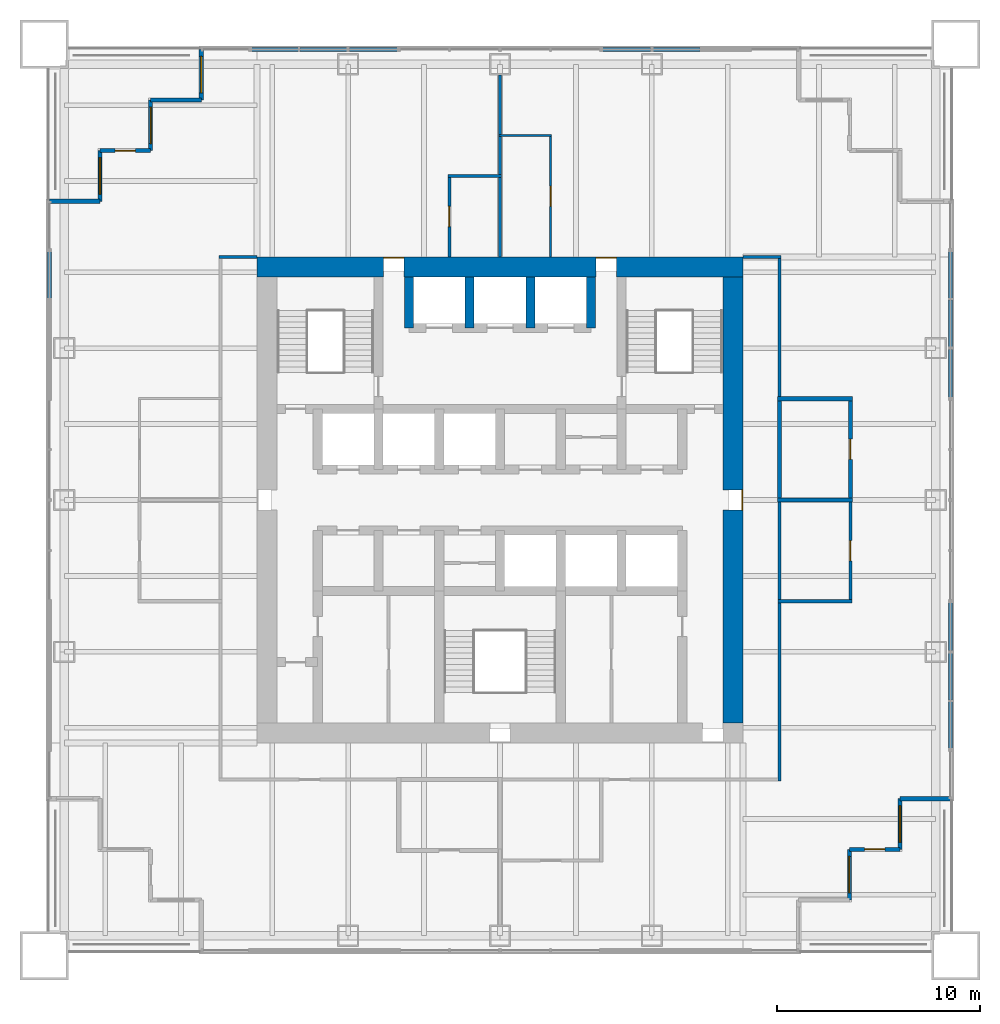
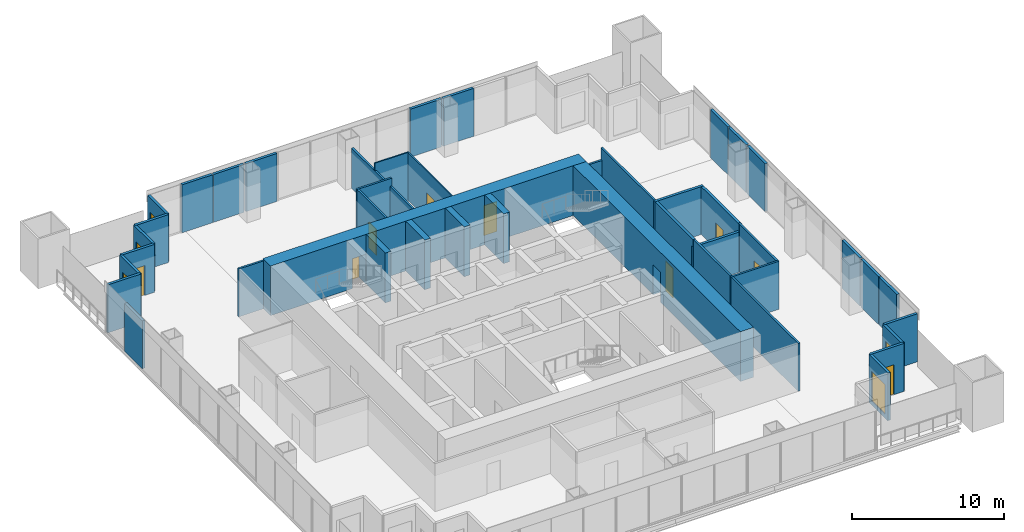
# One storey, part 10 of 13: 43 walls, 9 doors, 5 windows, 14 openings.
"""IFC4 building model written with IfcOpenShell, lengths in metres."""

from ifc_helpers import new_model, si_unit, direction, frame, frame_2d, origin, place, context, subcontext, project, spatial, rectangle, extrude, material, layer, layer_set, type_object, element, fill, save


model = new_model("IFC4")

# Units and contexts
model_context = context("Model", 3, precision=1e-05, world=origin(), true_north=direction((0.0, 1.0)))
body_context = subcontext(model_context, "Body", "Model", "MODEL_VIEW")
ifc_project = project(units=[si_unit("LENGTHUNIT", "METRE"), si_unit("AREAUNIT", "SQUARE_METRE"), si_unit("VOLUMEUNIT", "CUBIC_METRE"), si_unit("PLANEANGLEUNIT", "RADIAN"), si_unit("MASSUNIT", "GRAM", prefix="KILO")], contexts=[model_context])

# Site, building, storey
site_placement = place(None, origin())
site = spatial("IfcSite", under=ifc_project, at=site_placement, CompositionType="ELEMENT")
building_placement = place(site_placement, origin())
building = spatial("IfcBuilding", under=site, at=building_placement, Name="Tarangal Relay Tower", CompositionType="ELEMENT")
storey_placement = place(building_placement, frame((0.0, 0.0, 225.89990234375)))
storey = spatial("IfcBuildingStorey", under=building, at=storey_placement, Name="L48", CompositionType="ELEMENT", Elevation=225.89990234375)

# Walls
ifc_material_1 = material(Name="Two layers gypsum board each side on twin steel studs, mineral wool", Category="steel")
ifc_layer_1 = layer(ifc_material_1, 0.199951171875)
ifc_layer_set_1 = layer_set([ifc_layer_1], Name="Acoustic partition 200")
wall_type_1 = type_object("IfcWallType", Name="Acoustic partition 200", PredefinedType="PARTITIONING", material=ifc_layer_set_1)
wall_1_placement = place(storey_placement, frame((13.699951171875, 0.0, 0.0), z_axis=(0.0, 0.0, 1.0), x_axis=(1.0, 0.0, 0.0)))
element("IfcWall", 1, at=wall_1_placement, inside=storey, type_object=wall_type_1, Name="Partition PT2 L48", PredefinedType="PARTITIONING", context=body_context, shape_type="SweptSolid", body=[
    extrude(rectangle(XDim=3.699951171875, YDim=0.199951171875, at=frame_2d((1.85009765625, 0.0))), origin(), (0.0, 0.0, 1.0), 3.238037109375),
])
wall_2_placement = place(storey_placement, frame((13.699951171875, 5.0, 0.0), z_axis=(0.0, 0.0, 1.0), x_axis=(1.0, 0.0, 0.0)))
element("IfcWall", 2, at=wall_2_placement, inside=storey, type_object=wall_type_1, Name="Partition PT2 L48", PredefinedType="PARTITIONING", context=body_context, shape_type="SweptSolid", body=[
    extrude(rectangle(XDim=3.699951171875, YDim=0.199951171875, at=frame_2d((1.85009765625, 0.0))), origin(), (0.0, 0.0, 1.0), 3.85009765625),
])
wall_3_placement = place(storey_placement, frame((13.800048828125, -0.10009765625, 0.0), z_axis=(0.0, 0.0, 1.0), x_axis=(0.0, 1.0, 0.0)))
element("IfcWall", 3, at=wall_3_placement, inside=storey, type_object=wall_type_1, Name="Partition PT2 L48", PredefinedType="PARTITIONING", context=body_context, shape_type="SweptSolid", body=[
    extrude(rectangle(XDim=5.2001953125, YDim=0.199951171875, at=frame_2d((2.60009765625, 0.0))), origin(), (0.0, 0.0, 1.0), 3.85009765625),
])

# Wall, opening, door
wall_4_placement = place(storey_placement, frame((17.300048828125, -0.10009765625, 0.0), z_axis=(0.0, 0.0, 1.0), x_axis=(0.0, 1.0, 0.0)))
wall_4 = element("IfcWall", 4, at=wall_4_placement, inside=storey, type_object=wall_type_1, Name="Partition PT2 L48", PredefinedType="PARTITIONING", context=body_context, shape_type="SweptSolid", body=[
    extrude(rectangle(XDim=5.2001953125, YDim=0.199951171875, at=frame_2d((2.60009765625, 0.0))), origin(), (0.0, 0.0, 1.0), 3.85009765625),
])
opening_1_placement = place(wall_4_placement, frame((2.10009765625, 0.0, 0.0)))
opening_1 = element("IfcOpeningElement", 5, at=opening_1_placement, cuts=wall_4, Name="Opening D2", PredefinedType="OPENING", context=body_context, shape_type="SweptSolid", body=[
    extrude(rectangle(XDim=1.0, YDim=2.10009765625, at=frame_2d((0.5, 1.050048828125))), frame((0.0, 0.10986328125, 0.0), z_axis=(0.0, -1.0, 0.0), x_axis=(1.0, 0.0, 0.0)), (0.0, 0.0, 1.0), 0.219970703125),
])
ifc_material_2 = material(Name="Hardwood door", Category="wood")
door_type_1 = type_object("IfcDoorType", Name="Door 1000 x 2100", OperationType="SINGLE_SWING_LEFT", PredefinedType="DOOR", material=ifc_material_2)
door_1_placement = place(opening_1_placement, origin())
door_1 = element("IfcDoor", 6, at=door_1_placement, inside=storey, type_object=door_type_1, Name="Door D2 to meeting room L48-04", OperationType="SINGLE_SWING_LEFT", OverallHeight=2.10009765625, OverallWidth=1.0, PredefinedType="DOOR", context=body_context, shape_type="SweptSolid", body=[
    extrude(rectangle(XDim=1.0, YDim=2.10009765625, at=frame_2d((0.5, 1.050048828125))), frame((0.0, 0.02490234375, 0.0), z_axis=(0.0, -1.0, 0.0), x_axis=(1.0, 0.0, 0.0)), (0.0, 0.0, 1.0), 0.050048828125),
])
fill(opening_1, door_1)

# Walls
ifc_material_3 = material(Name="Concrete fc' 60 MPa", Category="concrete")
ifc_layer_2 = layer(ifc_material_3, 0.449951171875)
ifc_layer_set_2 = layer_set([ifc_layer_2], Name="Core inner wall 450")
wall_type_2 = type_object("IfcWallType", Name="Core inner wall 450", PredefinedType="SHEAR", material=ifc_layer_set_2)
for number, where, z_axis, x_axis, name in (
    (7, (-4.5, 8.5, 0.0), (0.0, 0.0, 1.0), (0.0, 1.0, 0.0), "Core wall XM45 L48"),
    (8, (4.5, 8.5, 0.0), (0.0, 0.0, 1.0), (0.0, 1.0, 0.0), "Core wall X45 L48"),
    (9, (-1.5, 8.5, 0.0), (0.0, 0.0, 1.0), (0.0, 1.0, 0.0), "Core wall XM15 L48"),
    (10, (1.5, 8.5, 0.0), (0.0, 0.0, 1.0), (0.0, 1.0, 0.0), "Core wall X15 L48"),
):
    element("IfcWall", number, at=place(storey_placement, frame(where, z_axis=z_axis, x_axis=x_axis)), inside=storey, type_object=wall_type_2, Name=name, PredefinedType="SHEAR", context=body_context, shape_type="SweptSolid", body=[
        extrude(rectangle(XDim=2.5, YDim=0.449951171875, at=frame_2d((1.25, 0.0))), origin(), (0.0, 0.0, 1.0), 4.0),
    ])

# Wall, openings, doors
ifc_layer_3 = layer(ifc_material_3, 1.0)
ifc_layer_set_3 = layer_set([ifc_layer_3], Name="Core wall 1000")
wall_type_3 = type_object("IfcWallType", Name="Core wall 1000", PredefinedType="SHEAR", material=ifc_layer_set_3)
wall_5_placement = place(storey_placement, frame((-12.0, 11.5, 0.0), z_axis=(0.0, 0.0, 1.0), x_axis=(1.0, 0.0, 0.0)))
wall_5 = element("IfcWall", 11, at=wall_5_placement, inside=storey, type_object=wall_type_3, Name="Core wall N L48", PredefinedType="SHEAR", context=body_context, shape_type="SweptSolid", body=[
    extrude(rectangle(XDim=24.0, YDim=1.0, at=frame_2d((12.0, 0.0))), origin(), (0.0, 0.0, 1.0), 4.0),
])
opening_2_placement = place(wall_5_placement, frame((6.25, 0.0, 0.0)))
opening_2 = element("IfcOpeningElement", 12, at=opening_2_placement, cuts=wall_5, Name="Opening FD3", PredefinedType="OPENING", context=body_context, shape_type="SweptSolid", body=[
    extrude(rectangle(XDim=1.0, YDim=2.39990234375, at=frame_2d((0.5, 1.199951171875))), frame((0.0, 0.510009765625, 0.0), z_axis=(0.0, -1.0, 0.0), x_axis=(1.0, 0.0, 0.0)), (0.0, 0.0, 1.0), 1.02001953125),
])
opening_3_placement = place(wall_5_placement, frame((16.75, 0.0, 0.0)))
opening_3 = element("IfcOpeningElement", 13, at=opening_3_placement, cuts=wall_5, Name="Opening FD3", PredefinedType="OPENING", context=body_context, shape_type="SweptSolid", body=[
    extrude(rectangle(XDim=1.0, YDim=2.39990234375, at=frame_2d((0.5, 1.199951171875))), frame((0.0, 0.510009765625, 0.0), z_axis=(0.0, -1.0, 0.0), x_axis=(1.0, 0.0, 0.0)), (0.0, 0.0, 1.0), 1.02001953125),
])
ifc_material_4 = material(Name="Steel door with hardwood frame", Category="steel")
door_type_2 = type_object("IfcDoorType", Name="Fire door 1000 x 2400 core entry", OperationType="SINGLE_SWING_RIGHT", PredefinedType="DOOR", material=ifc_material_4)
door_2_placement = place(opening_2_placement, origin())
door_2 = element("IfcDoor", 14, at=door_2_placement, inside=storey, type_object=door_type_2, Name="Core entry door north west L48", OperationType="SINGLE_SWING_RIGHT", OverallHeight=2.39990234375, OverallWidth=1.0, PredefinedType="DOOR", context=body_context, shape_type="SweptSolid", body=[
    extrude(rectangle(XDim=1.0, YDim=2.39990234375, at=frame_2d((0.5, 1.199951171875))), frame((0.0, 0.48486328125, 0.0), z_axis=(0.0, -1.0, 0.0), x_axis=(1.0, 0.0, 0.0)), (0.0, 0.0, 1.0), 0.050048828125),
])
fill(opening_2, door_2)
door_3_placement = place(opening_3_placement, origin())
door_3 = element("IfcDoor", 15, at=door_3_placement, inside=storey, type_object=door_type_2, Name="Core entry door north east L48", OperationType="SINGLE_SWING_RIGHT", OverallHeight=2.39990234375, OverallWidth=1.0, PredefinedType="DOOR", context=body_context, shape_type="SweptSolid", body=[
    extrude(rectangle(XDim=1.0, YDim=2.39990234375, at=frame_2d((0.5, 1.199951171875))), frame((0.0, 0.48486328125, 0.0), z_axis=(0.0, -1.0, 0.0), x_axis=(1.0, 0.0, 0.0)), (0.0, 0.0, 1.0), 0.050048828125),
])
fill(opening_3, door_3)

# Wall, opening, door
wall_6_placement = place(storey_placement, frame((11.5, 11.0, 0.0), z_axis=(0.0, 0.0, 1.0), x_axis=(0.0, -1.0, 0.0)))
wall_6 = element("IfcWall", 16, at=wall_6_placement, inside=storey, type_object=wall_type_3, Name="Core wall E L48", PredefinedType="SHEAR", context=body_context, shape_type="SweptSolid", body=[
    extrude(rectangle(XDim=22.0, YDim=1.0, at=frame_2d((11.0, 0.0))), origin(), (0.0, 0.0, 1.0), 4.0),
])
opening_4_placement = place(wall_6_placement, frame((10.5, 0.0, 0.0)))
opening_4 = element("IfcOpeningElement", 17, at=opening_4_placement, cuts=wall_6, Name="Opening FD3", PredefinedType="OPENING", context=body_context, shape_type="SweptSolid", body=[
    extrude(rectangle(XDim=1.0, YDim=2.39990234375, at=frame_2d((0.5, 1.199951171875))), frame((0.0, 0.510009765625, 0.0), z_axis=(0.0, -1.0, 0.0), x_axis=(1.0, 0.0, 0.0)), (0.0, 0.0, 1.0), 1.02001953125),
])
door_4_placement = place(opening_4_placement, origin())
door_4 = element("IfcDoor", 18, at=door_4_placement, inside=storey, type_object=door_type_2, Name="Core entry door east L48", OperationType="SINGLE_SWING_RIGHT", OverallHeight=2.39990234375, OverallWidth=1.0, PredefinedType="DOOR", context=body_context, shape_type="SweptSolid", body=[
    extrude(rectangle(XDim=1.0, YDim=2.39990234375, at=frame_2d((0.5, 1.199951171875))), frame((0.0, 0.48486328125, 0.0), z_axis=(0.0, -1.0, 0.0), x_axis=(1.0, 0.0, 0.0)), (0.0, 0.0, 1.0), 0.050048828125),
])
fill(opening_4, door_4)

# Wall
ifc_material_5 = material(Name="Black metal clad insulated wall", Category="steel")
ifc_layer_4 = layer(ifc_material_5, 0.199951171875)
ifc_layer_set_4 = layer_set([ifc_layer_4], Name="Corner wall metal clad 200")
wall_type_4 = type_object("IfcWallType", Name="Corner wall metal clad 200", PredefinedType="SOLIDWALL", material=ifc_layer_set_4)
wall_7_placement = place(storey_placement, frame((22.25, -14.75, 0.0), z_axis=(0.0, 0.0, 1.0), x_axis=(-1.0, 0.0, 0.0)))
element("IfcWall", 19, at=wall_7_placement, inside=storey, type_object=wall_type_4, Name="Facade wall E facade L48", PredefinedType="SOLIDWALL", context=body_context, shape_type="SweptSolid", body=[
    extrude(rectangle(XDim=2.5, YDim=0.199951171875, at=frame_2d((1.25, 0.0))), origin(), (0.0, 0.0, 1.0), 3.85009765625),
])

# Wall, opening, window
wall_8_placement = place(storey_placement, frame((19.75, -14.75, 0.0), z_axis=(0.0, 0.0, 1.0), x_axis=(0.0, -1.0, 0.0)))
wall_8 = element("IfcWall", 20, at=wall_8_placement, inside=storey, type_object=wall_type_4, Name="Facade wall E facade L48", PredefinedType="SOLIDWALL", context=body_context, shape_type="SweptSolid", body=[
    extrude(rectangle(XDim=2.5, YDim=0.199951171875, at=frame_2d((1.25, 0.0))), origin(), (0.0, 0.0, 1.0), 3.85009765625),
])
opening_5_placement = place(wall_8_placement, frame((0.35009765625, 0.0, 0.300048828125)))
opening_5 = element("IfcOpeningElement", 21, at=opening_5_placement, cuts=wall_8, Name="Opening WN2", PredefinedType="OPENING", context=body_context, shape_type="SweptSolid", body=[
    extrude(rectangle(XDim=1.800048828125, YDim=2.39990234375, at=frame_2d((0.89990234375, 1.199951171875))), frame((0.0, 0.10986328125, 0.0), z_axis=(0.0, -1.0, 0.0), x_axis=(1.0, 0.0, 0.0)), (0.0, 0.0, 1.0), 0.219970703125),
])
ifc_material_6 = material(Name="Dark tinted double glazing in black aluminium frame", Category="aluminium")
window_type = type_object("IfcWindowType", Name="Corner window 1800 x 2400", PartitioningType="SINGLE_PANEL", PredefinedType="WINDOW", material=ifc_material_6)
window_1_placement = place(opening_5_placement, origin())
window_1 = element("IfcWindow", 22, at=window_1_placement, inside=storey, type_object=window_type, Name="Corner window WN2 E facade L48", OverallHeight=2.39990234375, OverallWidth=1.800048828125, PartitioningType="SINGLE_PANEL", PredefinedType="WINDOW", context=body_context, shape_type="SweptSolid", body=[
    extrude(rectangle(XDim=1.800048828125, YDim=2.39990234375, at=frame_2d((0.89990234375, 1.199951171875))), frame((0.0, 0.030029296875, 0.0), z_axis=(0.0, -1.0, 0.0), x_axis=(1.0, 0.0, 0.0)), (0.0, 0.0, 1.0), 0.06005859375),
])
fill(opening_5, window_1)

# Wall, opening, door
wall_9_placement = place(storey_placement, frame((19.75, -17.25, 0.0), z_axis=(0.0, 0.0, 1.0), x_axis=(-1.0, 0.0, 0.0)))
wall_9 = element("IfcWall", 23, at=wall_9_placement, inside=storey, type_object=wall_type_4, Name="Facade wall E facade L48", PredefinedType="SOLIDWALL", context=body_context, shape_type="SweptSolid", body=[
    extrude(rectangle(XDim=2.5, YDim=0.199951171875, at=frame_2d((1.25, 0.0))), origin(), (0.0, 0.0, 1.0), 3.85009765625),
])
opening_6_placement = place(wall_9_placement, frame((0.75, 0.0, 0.0)))
opening_6 = element("IfcOpeningElement", 24, at=opening_6_placement, cuts=wall_9, Name="Opening TD1", PredefinedType="OPENING", context=body_context, shape_type="SweptSolid", body=[
    extrude(rectangle(XDim=1.0, YDim=2.39990234375, at=frame_2d((0.5, 1.199951171875))), frame((0.0, 0.10986328125, 0.0), z_axis=(0.0, -1.0, 0.0), x_axis=(1.0, 0.0, 0.0)), (0.0, 0.0, 1.0), 0.219970703125),
])
ifc_material_7 = material(Name="Aluminium glazed door", Category="aluminium")
door_type_3 = type_object("IfcDoorType", Name="Terrace door 1000 x 2400", OperationType="SINGLE_SWING_RIGHT", PredefinedType="DOOR", material=ifc_material_7)
door_5_placement = place(opening_6_placement, origin())
door_5 = element("IfcDoor", 25, at=door_5_placement, inside=storey, type_object=door_type_3, Name="Terrace door TD1 SE L48", OperationType="SINGLE_SWING_RIGHT", OverallHeight=2.39990234375, OverallWidth=1.0, PredefinedType="DOOR", context=body_context, shape_type="SweptSolid", body=[
    extrude(rectangle(XDim=1.0, YDim=2.39990234375, at=frame_2d((0.5, 1.199951171875))), frame((0.0, 0.02490234375, 0.0), z_axis=(0.0, -1.0, 0.0), x_axis=(1.0, 0.0, 0.0)), (0.0, 0.0, 1.0), 0.050048828125),
])
fill(opening_6, door_5)

# Wall, opening, window
wall_10_placement = place(storey_placement, frame((17.25, -17.25, 0.0), z_axis=(0.0, 0.0, 1.0), x_axis=(0.0, -1.0, 0.0)))
wall_10 = element("IfcWall", 26, at=wall_10_placement, inside=storey, type_object=wall_type_4, Name="Facade wall E facade L48", PredefinedType="SOLIDWALL", context=body_context, shape_type="SweptSolid", body=[
    extrude(rectangle(XDim=2.5, YDim=0.199951171875, at=frame_2d((1.25, 0.0))), origin(), (0.0, 0.0, 1.0), 3.85009765625),
])
opening_7_placement = place(wall_10_placement, frame((0.35009765625, 0.0, 0.300048828125)))
opening_7 = element("IfcOpeningElement", 27, at=opening_7_placement, cuts=wall_10, Name="Opening WN2", PredefinedType="OPENING", context=body_context, shape_type="SweptSolid", body=[
    extrude(rectangle(XDim=1.800048828125, YDim=2.39990234375, at=frame_2d((0.89990234375, 1.199951171875))), frame((0.0, 0.10986328125, 0.0), z_axis=(0.0, -1.0, 0.0), x_axis=(1.0, 0.0, 0.0)), (0.0, 0.0, 1.0), 0.219970703125),
])
window_2_placement = place(opening_7_placement, origin())
window_2 = element("IfcWindow", 28, at=window_2_placement, inside=storey, type_object=window_type, Name="Corner window WN2 E facade L48", OverallHeight=2.39990234375, OverallWidth=1.800048828125, PartitioningType="SINGLE_PANEL", PredefinedType="WINDOW", context=body_context, shape_type="SweptSolid", body=[
    extrude(rectangle(XDim=1.800048828125, YDim=2.39990234375, at=frame_2d((0.89990234375, 1.199951171875))), frame((0.0, 0.030029296875, 0.0), z_axis=(0.0, -1.0, 0.0), x_axis=(1.0, 0.0, 0.0)), (0.0, 0.0, 1.0), 0.06005859375),
])
fill(opening_7, window_2)

# Wall
wall_11_placement = place(storey_placement, frame((-22.25, 14.75, 0.0), z_axis=(0.0, 0.0, 1.0), x_axis=(1.0, 0.0, 0.0)))
element("IfcWall", 29, at=wall_11_placement, inside=storey, type_object=wall_type_4, Name="Facade wall W facade L48", PredefinedType="SOLIDWALL", context=body_context, shape_type="SweptSolid", body=[
    extrude(rectangle(XDim=2.5, YDim=0.199951171875, at=frame_2d((1.25, 0.0))), origin(), (0.0, 0.0, 1.0), 3.85009765625),
])

# Wall, opening, window
wall_12_placement = place(storey_placement, frame((-19.75, 14.75, 0.0), z_axis=(0.0, 0.0, 1.0), x_axis=(0.0, 1.0, 0.0)))
wall_12 = element("IfcWall", 30, at=wall_12_placement, inside=storey, type_object=wall_type_4, Name="Facade wall W facade L48", PredefinedType="SOLIDWALL", context=body_context, shape_type="SweptSolid", body=[
    extrude(rectangle(XDim=2.5, YDim=0.199951171875, at=frame_2d((1.25, 0.0))), origin(), (0.0, 0.0, 1.0), 3.85009765625),
])
opening_8_placement = place(wall_12_placement, frame((0.35009765625, 0.0, 0.300048828125)))
opening_8 = element("IfcOpeningElement", 31, at=opening_8_placement, cuts=wall_12, Name="Opening WN2", PredefinedType="OPENING", context=body_context, shape_type="SweptSolid", body=[
    extrude(rectangle(XDim=1.800048828125, YDim=2.39990234375, at=frame_2d((0.89990234375, 1.199951171875))), frame((0.0, 0.10986328125, 0.0), z_axis=(0.0, -1.0, 0.0), x_axis=(1.0, 0.0, 0.0)), (0.0, 0.0, 1.0), 0.219970703125),
])
window_3_placement = place(opening_8_placement, origin())
window_3 = element("IfcWindow", 32, at=window_3_placement, inside=storey, type_object=window_type, Name="Corner window WN2 W facade L48", OverallHeight=2.39990234375, OverallWidth=1.800048828125, PartitioningType="SINGLE_PANEL", PredefinedType="WINDOW", context=body_context, shape_type="SweptSolid", body=[
    extrude(rectangle(XDim=1.800048828125, YDim=2.39990234375, at=frame_2d((0.89990234375, 1.199951171875))), frame((0.0, 0.030029296875, 0.0), z_axis=(0.0, -1.0, 0.0), x_axis=(1.0, 0.0, 0.0)), (0.0, 0.0, 1.0), 0.06005859375),
])
fill(opening_8, window_3)

# Wall, opening, door
wall_13_placement = place(storey_placement, frame((-19.75, 17.25, 0.0), z_axis=(0.0, 0.0, 1.0), x_axis=(1.0, 0.0, 0.0)))
wall_13 = element("IfcWall", 33, at=wall_13_placement, inside=storey, type_object=wall_type_4, Name="Facade wall W facade L48", PredefinedType="SOLIDWALL", context=body_context, shape_type="SweptSolid", body=[
    extrude(rectangle(XDim=2.5, YDim=0.199951171875, at=frame_2d((1.25, 0.0))), origin(), (0.0, 0.0, 1.0), 3.85009765625),
])
opening_9_placement = place(wall_13_placement, frame((0.75, 0.0, 0.0)))
opening_9 = element("IfcOpeningElement", 34, at=opening_9_placement, cuts=wall_13, Name="Opening TD1", PredefinedType="OPENING", context=body_context, shape_type="SweptSolid", body=[
    extrude(rectangle(XDim=1.0, YDim=2.39990234375, at=frame_2d((0.5, 1.199951171875))), frame((0.0, 0.10986328125, 0.0), z_axis=(0.0, -1.0, 0.0), x_axis=(1.0, 0.0, 0.0)), (0.0, 0.0, 1.0), 0.219970703125),
])
door_6_placement = place(opening_9_placement, origin())
door_6 = element("IfcDoor", 35, at=door_6_placement, inside=storey, type_object=door_type_3, Name="Terrace door TD1 NW L48", OperationType="SINGLE_SWING_RIGHT", OverallHeight=2.39990234375, OverallWidth=1.0, PredefinedType="DOOR", context=body_context, shape_type="SweptSolid", body=[
    extrude(rectangle(XDim=1.0, YDim=2.39990234375, at=frame_2d((0.5, 1.199951171875))), frame((0.0, 0.02490234375, 0.0), z_axis=(0.0, -1.0, 0.0), x_axis=(1.0, 0.0, 0.0)), (0.0, 0.0, 1.0), 0.050048828125),
])
fill(opening_9, door_6)

# Wall, opening, window
wall_14_placement = place(storey_placement, frame((-17.25, 17.25, 0.0), z_axis=(0.0, 0.0, 1.0), x_axis=(0.0, 1.0, 0.0)))
wall_14 = element("IfcWall", 36, at=wall_14_placement, inside=storey, type_object=wall_type_4, Name="Facade wall W facade L48", PredefinedType="SOLIDWALL", context=body_context, shape_type="SweptSolid", body=[
    extrude(rectangle(XDim=2.5, YDim=0.199951171875, at=frame_2d((1.25, 0.0))), origin(), (0.0, 0.0, 1.0), 3.85009765625),
])
opening_10_placement = place(wall_14_placement, frame((0.35009765625, 0.0, 0.300048828125)))
opening_10 = element("IfcOpeningElement", 37, at=opening_10_placement, cuts=wall_14, Name="Opening WN2", PredefinedType="OPENING", context=body_context, shape_type="SweptSolid", body=[
    extrude(rectangle(XDim=1.800048828125, YDim=2.39990234375, at=frame_2d((0.89990234375, 1.199951171875))), frame((0.0, 0.10986328125, 0.0), z_axis=(0.0, -1.0, 0.0), x_axis=(1.0, 0.0, 0.0)), (0.0, 0.0, 1.0), 0.219970703125),
])
window_4_placement = place(opening_10_placement, origin())
window_4 = element("IfcWindow", 38, at=window_4_placement, inside=storey, type_object=window_type, Name="Corner window WN2 W facade L48", OverallHeight=2.39990234375, OverallWidth=1.800048828125, PartitioningType="SINGLE_PANEL", PredefinedType="WINDOW", context=body_context, shape_type="SweptSolid", body=[
    extrude(rectangle(XDim=1.800048828125, YDim=2.39990234375, at=frame_2d((0.89990234375, 1.199951171875))), frame((0.0, 0.030029296875, 0.0), z_axis=(0.0, -1.0, 0.0), x_axis=(1.0, 0.0, 0.0)), (0.0, 0.0, 1.0), 0.06005859375),
])
fill(opening_10, window_4)

# Wall
wall_15_placement = place(storey_placement, frame((-17.25, 19.75, 0.0), z_axis=(0.0, 0.0, 1.0), x_axis=(1.0, 0.0, 0.0)))
element("IfcWall", 39, at=wall_15_placement, inside=storey, type_object=wall_type_4, Name="Facade wall W facade L48", PredefinedType="SOLIDWALL", context=body_context, shape_type="SweptSolid", body=[
    extrude(rectangle(XDim=2.5, YDim=0.199951171875, at=frame_2d((1.25, 0.0))), origin(), (0.0, 0.0, 1.0), 3.85009765625),
])

# Wall, opening, window
wall_16_placement = place(storey_placement, frame((-14.75, 19.75, 0.0), z_axis=(0.0, 0.0, 1.0), x_axis=(0.0, 1.0, 0.0)))
wall_16 = element("IfcWall", 40, at=wall_16_placement, inside=storey, type_object=wall_type_4, Name="Facade wall W facade L48", PredefinedType="SOLIDWALL", context=body_context, shape_type="SweptSolid", body=[
    extrude(rectangle(XDim=2.5, YDim=0.199951171875, at=frame_2d((1.25, 0.0))), origin(), (0.0, 0.0, 1.0), 3.85009765625),
])
opening_11_placement = place(wall_16_placement, frame((0.35009765625, 0.0, 0.300048828125)))
opening_11 = element("IfcOpeningElement", 41, at=opening_11_placement, cuts=wall_16, Name="Opening WN2", PredefinedType="OPENING", context=body_context, shape_type="SweptSolid", body=[
    extrude(rectangle(XDim=1.800048828125, YDim=2.39990234375, at=frame_2d((0.89990234375, 1.199951171875))), frame((0.0, 0.10986328125, 0.0), z_axis=(0.0, -1.0, 0.0), x_axis=(1.0, 0.0, 0.0)), (0.0, 0.0, 1.0), 0.219970703125),
])
window_5_placement = place(opening_11_placement, origin())
window_5 = element("IfcWindow", 42, at=window_5_placement, inside=storey, type_object=window_type, Name="Corner window WN2 W facade L48", OverallHeight=2.39990234375, OverallWidth=1.800048828125, PartitioningType="SINGLE_PANEL", PredefinedType="WINDOW", context=body_context, shape_type="SweptSolid", body=[
    extrude(rectangle(XDim=1.800048828125, YDim=2.39990234375, at=frame_2d((0.89990234375, 1.199951171875))), frame((0.0, 0.030029296875, 0.0), z_axis=(0.0, -1.0, 0.0), x_axis=(1.0, 0.0, 0.0)), (0.0, 0.0, 1.0), 0.06005859375),
])
fill(opening_11, window_5)

# Walls
ifc_layer_5 = layer(ifc_material_5, 0.199951171875)
ifc_layer_set_5 = layer_set([ifc_layer_5], Name="Facade infill wall metal clad 200")
wall_type_5 = type_object("IfcWallType", Name="Facade infill wall metal clad 200", PredefinedType="SOLIDWALL", material=ifc_layer_set_5)
for number, where, z_axis, x_axis, name in (
    (43, (-12.268310546875, 22.25, 0.0), (0.0, 0.0, 1.0), (1.0, 0.0, 0.0), "Facade infill wall N facade L48 1.1"),
    (44, (-9.884033203125, 22.25, 0.0), (0.0, 0.0, 1.0), (1.0, 0.0, 0.0), "Facade infill wall N facade L48 2.1"),
):
    element("IfcWall", number, at=place(storey_placement, frame(where, z_axis=z_axis, x_axis=x_axis)), inside=storey, type_object=wall_type_5, Name=name, PredefinedType="SOLIDWALL", context=body_context, shape_type="SweptSolid", body=[
        extrude(rectangle(XDim=2.319091796875, YDim=0.199951171875, at=frame_2d((1.15966796875, 0.0))), origin(), (0.0, 0.0, 1.0), 3.85009765625),
    ])
for number, where, z_axis, x_axis, name in (
    (45, (-7.43505859375, 22.25, 0.0), (0.0, 0.0, 1.0), (1.0, 0.0, 0.0), "Facade infill wall N facade L48 1.1"),
    (46, (5.06494140625, 22.25, 0.0), (0.0, 0.0, 1.0), (1.0, 0.0, 0.0), "Facade infill wall N facade L48 1.1"),
):
    element("IfcWall", number, at=place(storey_placement, frame(where, z_axis=z_axis, x_axis=x_axis)), inside=storey, type_object=wall_type_5, Name=name, PredefinedType="SOLIDWALL", context=body_context, shape_type="SweptSolid", body=[
        extrude(rectangle(XDim=2.3701171875, YDim=0.199951171875, at=frame_2d((1.18505859375, 0.0))), origin(), (0.0, 0.0, 1.0), 3.85009765625),
    ])
for number, where, z_axis, x_axis, name in (
    (47, (7.56494140625, 22.25, 0.0), (0.0, 0.0, 1.0), (1.0, 0.0, 0.0), "Facade infill wall N facade L48 1.1"),
    (48, (22.25, 12.268310546875, 0.0), (0.0, 0.0, 1.0), (0.0, -1.0, 0.0), "Facade infill wall E facade L48 1.1"),
    (49, (22.25, 9.884033203125, 0.0), (0.0, 0.0, 1.0), (0.0, -1.0, 0.0), "Facade infill wall E facade L48 2.1"),
):
    element("IfcWall", number, at=place(storey_placement, frame(where, z_axis=z_axis, x_axis=x_axis)), inside=storey, type_object=wall_type_5, Name=name, PredefinedType="SOLIDWALL", context=body_context, shape_type="SweptSolid", body=[
        extrude(rectangle(XDim=2.319091796875, YDim=0.199951171875, at=frame_2d((1.15966796875, 0.0))), origin(), (0.0, 0.0, 1.0), 3.85009765625),
    ])
for number, where, z_axis, x_axis, name in (
    (50, (22.25, 7.43505859375, 0.0), (0.0, 0.0, 1.0), (0.0, -1.0, 0.0), "Facade infill wall E facade L48 1.1"),
    (51, (22.25, -5.06494140625, 0.0), (0.0, 0.0, 1.0), (0.0, -1.0, 0.0), "Facade infill wall E facade L48 1.1"),
):
    element("IfcWall", number, at=place(storey_placement, frame(where, z_axis=z_axis, x_axis=x_axis)), inside=storey, type_object=wall_type_5, Name=name, PredefinedType="SOLIDWALL", context=body_context, shape_type="SweptSolid", body=[
        extrude(rectangle(XDim=2.3701171875, YDim=0.199951171875, at=frame_2d((1.18505859375, 0.0))), origin(), (0.0, 0.0, 1.0), 3.85009765625),
    ])
for number, where, z_axis, x_axis, name in (
    (52, (22.25, -7.56494140625, 0.0), (0.0, 0.0, 1.0), (0.0, -1.0, 0.0), "Facade infill wall E facade L48 1.1"),
    (53, (22.25, -9.94921875, 0.0), (0.0, 0.0, 1.0), (0.0, -1.0, 0.0), "Facade infill wall E facade L48 2.1"),
    (54, (-22.25, 9.94921875, 0.0), (0.0, 0.0, 1.0), (0.0, 1.0, 0.0), "Facade infill wall W facade L48 2.1"),
):
    element("IfcWall", number, at=place(storey_placement, frame(where, z_axis=z_axis, x_axis=x_axis)), inside=storey, type_object=wall_type_5, Name=name, PredefinedType="SOLIDWALL", context=body_context, shape_type="SweptSolid", body=[
        extrude(rectangle(XDim=2.319091796875, YDim=0.199951171875, at=frame_2d((1.15966796875, 0.0))), origin(), (0.0, 0.0, 1.0), 3.85009765625),
    ])
ifc_material_8 = material(Name="Double glazed aluminium framed partition", Category="aluminium")
ifc_layer_6 = layer(ifc_material_8, 0.10009765625)
ifc_layer_set_6 = layer_set([ifc_layer_6], Name="Glazed partition 100")
wall_type_6 = type_object("IfcWallType", Name="Glazed partition 100", PredefinedType="PARTITIONING", material=ifc_layer_set_6)
wall_17_placement = place(storey_placement, frame((-0.050048828125, 18.0, 0.0), z_axis=(0.0, 0.0, 1.0), x_axis=(1.0, 0.0, 0.0)))
element("IfcWall", 55, at=wall_17_placement, inside=storey, type_object=wall_type_6, Name="Partition PT3 L48", PredefinedType="PARTITIONING", context=body_context, shape_type="SweptSolid", body=[
    extrude(rectangle(XDim=2.60009765625, YDim=0.10009765625, at=frame_2d((1.300048828125, 0.0))), origin(), (0.0, 0.0, 1.0), 3.85009765625),
])

# Wall, opening, door
wall_18_placement = place(storey_placement, frame((2.5, 12.0, 0.0), z_axis=(0.0, 0.0, 1.0), x_axis=(0.0, 1.0, 0.0)))
wall_18 = element("IfcWall", 56, at=wall_18_placement, inside=storey, type_object=wall_type_6, Name="Partition PT3 L48", PredefinedType="PARTITIONING", context=body_context, shape_type="SweptSolid", body=[
    extrude(rectangle(XDim=6.050048828125, YDim=0.10009765625, at=frame_2d((3.02490234375, 0.0))), origin(), (0.0, 0.0, 1.0), 3.85009765625),
])
opening_12_placement = place(wall_18_placement, frame((2.5, 0.0, 0.0)))
opening_12 = element("IfcOpeningElement", 57, at=opening_12_placement, cuts=wall_18, Name="Opening D3", PredefinedType="OPENING", context=body_context, shape_type="SweptSolid", body=[
    extrude(rectangle(XDim=1.0, YDim=2.10009765625, at=frame_2d((0.5, 1.050048828125))), frame((0.0, 0.06005859375, 0.0), z_axis=(0.0, -1.0, 0.0), x_axis=(1.0, 0.0, 0.0)), (0.0, 0.0, 1.0), 0.1201171875),
])
ifc_material_9 = material(Name="Frameless glass door", Category="glass")
door_type_4 = type_object("IfcDoorType", Name="Glazed door 1000 x 2100", OperationType="SINGLE_SWING_LEFT", PredefinedType="DOOR", material=ifc_material_9)
door_7_placement = place(opening_12_placement, origin())
door_7 = element("IfcDoor", 58, at=door_7_placement, inside=storey, type_object=door_type_4, Name="Door D3 to meeting room L48-03", OperationType="SINGLE_SWING_LEFT", OverallHeight=2.10009765625, OverallWidth=1.0, PredefinedType="DOOR", context=body_context, shape_type="SweptSolid", body=[
    extrude(rectangle(XDim=1.0, YDim=2.10009765625, at=frame_2d((0.5, 1.050048828125))), frame((0.0, 0.02490234375, 0.0), z_axis=(0.0, -1.0, 0.0), x_axis=(1.0, 0.0, 0.0)), (0.0, 0.0, 1.0), 0.050048828125),
])
fill(opening_12, door_7)

# Walls
ifc_material_10 = material(Name="Gypsum board on steel studs", Category="steel")
ifc_layer_7 = layer(ifc_material_10, 0.14990234375)
ifc_layer_set_7 = layer_set([ifc_layer_7], Name="Partition 150")
wall_type_7 = type_object("IfcWallType", Name="Partition 150", PredefinedType="PARTITIONING", material=ifc_layer_set_7)
wall_19_placement = place(storey_placement, frame((13.72509765625, -5.0, 0.0), z_axis=(0.0, 0.0, 1.0), x_axis=(1.0, 0.0, 0.0)))
element("IfcWall", 59, at=wall_19_placement, inside=storey, type_object=wall_type_7, Name="Partition PT1 L48", PredefinedType="PARTITIONING", context=body_context, shape_type="SweptSolid", body=[
    extrude(rectangle(XDim=3.64990234375, YDim=0.14990234375, at=frame_2d((1.824951171875, 0.0))), origin(), (0.0, 0.0, 1.0), 3.85009765625),
])
wall_20_placement = place(storey_placement, frame((-13.875, 12.0, 0.0), z_axis=(0.0, 0.0, 1.0), x_axis=(1.0, 0.0, 0.0)))
element("IfcWall", 60, at=wall_20_placement, inside=storey, type_object=wall_type_7, Name="Partition PT1 L48", PredefinedType="PARTITIONING", context=body_context, shape_type="SweptSolid", body=[
    extrude(rectangle(XDim=1.875, YDim=0.14990234375, at=frame_2d((0.9375, 0.0))), origin(), (0.0, 0.0, 1.0), 3.85009765625),
])
wall_21_placement = place(storey_placement, frame((12.0, 12.0, 0.0), z_axis=(0.0, 0.0, 1.0), x_axis=(1.0, 0.0, 0.0)))
element("IfcWall", 61, at=wall_21_placement, inside=storey, type_object=wall_type_7, Name="Partition PT1 L48", PredefinedType="PARTITIONING", context=body_context, shape_type="SweptSolid", body=[
    extrude(rectangle(XDim=1.875, YDim=0.14990234375, at=frame_2d((0.9375, 0.0))), origin(), (0.0, 0.0, 1.0), 2.907958984375),
])
wall_22_placement = place(storey_placement, frame((-2.574951171875, 16.0, 0.0), z_axis=(0.0, 0.0, 1.0), x_axis=(1.0, 0.0, 0.0)))
element("IfcWall", 62, at=wall_22_placement, inside=storey, type_object=wall_type_7, Name="Partition PT1 L48", PredefinedType="PARTITIONING", context=body_context, shape_type="SweptSolid", body=[
    extrude(rectangle(XDim=2.64990234375, YDim=0.14990234375, at=frame_2d((1.324951171875, 0.0))), origin(), (0.0, 0.0, 1.0), 3.85009765625),
])

# Wall, opening, door
wall_23_placement = place(storey_placement, frame((-2.5, 12.0, 0.0), z_axis=(0.0, 0.0, 1.0), x_axis=(0.0, 1.0, 0.0)))
wall_23 = element("IfcWall", 63, at=wall_23_placement, inside=storey, type_object=wall_type_7, Name="Partition PT1 L48", PredefinedType="PARTITIONING", context=body_context, shape_type="SweptSolid", body=[
    extrude(rectangle(XDim=4.074951171875, YDim=0.14990234375, at=frame_2d((2.03759765625, 0.0))), origin(), (0.0, 0.0, 1.0), 3.85009765625),
])
opening_13_placement = place(wall_23_placement, frame((1.5, 0.0, 0.0)))
opening_13 = element("IfcOpeningElement", 64, at=opening_13_placement, cuts=wall_23, Name="Opening D2", PredefinedType="OPENING", context=body_context, shape_type="SweptSolid", body=[
    extrude(rectangle(XDim=1.0, YDim=2.10009765625, at=frame_2d((0.5, 1.050048828125))), frame((0.0, 0.0849609375, 0.0), z_axis=(0.0, -1.0, 0.0), x_axis=(1.0, 0.0, 0.0)), (0.0, 0.0, 1.0), 0.169921875),
])
door_8_placement = place(opening_13_placement, origin())
door_8 = element("IfcDoor", 65, at=door_8_placement, inside=storey, type_object=door_type_1, Name="Door D2 to tea pantry L48-02", OperationType="SINGLE_SWING_LEFT", OverallHeight=2.10009765625, OverallWidth=1.0, PredefinedType="DOOR", context=body_context, shape_type="SweptSolid", body=[
    extrude(rectangle(XDim=1.0, YDim=2.10009765625, at=frame_2d((0.5, 1.050048828125))), frame((0.0, 0.02490234375, 0.0), z_axis=(0.0, -1.0, 0.0), x_axis=(1.0, 0.0, 0.0)), (0.0, 0.0, 1.0), 0.050048828125),
])
fill(opening_13, door_8)

# Walls
wall_24_placement = place(storey_placement, frame((0.0, 12.0, 0.0), z_axis=(0.0, 0.0, 1.0), x_axis=(0.0, 1.0, 0.0)))
element("IfcWall", 66, at=wall_24_placement, inside=storey, type_object=wall_type_7, Name="Partition PT1 L48", PredefinedType="PARTITIONING", context=body_context, shape_type="SweptSolid", body=[
    extrude(rectangle(XDim=8.989990234375, YDim=0.14990234375, at=frame_2d((4.4951171875, 0.0))), origin(), (0.0, 0.0, 1.0), 3.238037109375),
])
wall_25_placement = place(storey_placement, frame((13.800048828125, -13.875, 0.0), z_axis=(0.0, 0.0, 1.0), x_axis=(0.0, 1.0, 0.0)))
element("IfcWall", 67, at=wall_25_placement, inside=storey, type_object=wall_type_7, Name="Partition PT1 L48", PredefinedType="PARTITIONING", context=body_context, shape_type="SweptSolid", body=[
    extrude(rectangle(XDim=13.949951171875, YDim=0.14990234375, at=frame_2d((6.97509765625, 0.0))), origin(), (0.0, 0.0, 1.0), 3.85009765625),
])
wall_26_placement = place(storey_placement, frame((13.800048828125, 4.925048828125, 0.0), z_axis=(0.0, 0.0, 1.0), x_axis=(0.0, 1.0, 0.0)))
element("IfcWall", 68, at=wall_26_placement, inside=storey, type_object=wall_type_7, Name="Partition PT1 L48", PredefinedType="PARTITIONING", context=body_context, shape_type="SweptSolid", body=[
    extrude(rectangle(XDim=7.14990234375, YDim=0.14990234375, at=frame_2d((3.574951171875, 0.0))), origin(), (0.0, 0.0, 1.0), 3.85009765625),
])

# Wall, opening, door
wall_27_placement = place(storey_placement, frame((17.300048828125, -5.074951171875, 0.0), z_axis=(0.0, 0.0, 1.0), x_axis=(0.0, 1.0, 0.0)))
wall_27 = element("IfcWall", 69, at=wall_27_placement, inside=storey, type_object=wall_type_7, Name="Partition PT1 L48", PredefinedType="PARTITIONING", context=body_context, shape_type="SweptSolid", body=[
    extrude(rectangle(XDim=5.14990234375, YDim=0.14990234375, at=frame_2d((2.574951171875, 0.0))), origin(), (0.0, 0.0, 1.0), 3.85009765625),
])
opening_14_placement = place(wall_27_placement, frame((2.074951171875, 0.0, 0.0)))
opening_14 = element("IfcOpeningElement", 70, at=opening_14_placement, cuts=wall_27, Name="Opening D2", PredefinedType="OPENING", context=body_context, shape_type="SweptSolid", body=[
    extrude(rectangle(XDim=1.0, YDim=2.10009765625, at=frame_2d((0.5, 1.050048828125))), frame((0.0, 0.0849609375, 0.0), z_axis=(0.0, -1.0, 0.0), x_axis=(1.0, 0.0, 0.0)), (0.0, 0.0, 1.0), 0.169921875),
])
door_9_placement = place(opening_14_placement, origin())
door_9 = element("IfcDoor", 71, at=door_9_placement, inside=storey, type_object=door_type_1, Name="Door D2 to cellular office L48-05", OperationType="SINGLE_SWING_LEFT", OverallHeight=2.10009765625, OverallWidth=1.0, PredefinedType="DOOR", context=body_context, shape_type="SweptSolid", body=[
    extrude(rectangle(XDim=1.0, YDim=2.10009765625, at=frame_2d((0.5, 1.050048828125))), frame((0.0, 0.02490234375, 0.0), z_axis=(0.0, -1.0, 0.0), x_axis=(1.0, 0.0, 0.0)), (0.0, 0.0, 1.0), 0.050048828125),
])
fill(opening_14, door_9)

save(model, "model.ifc")
